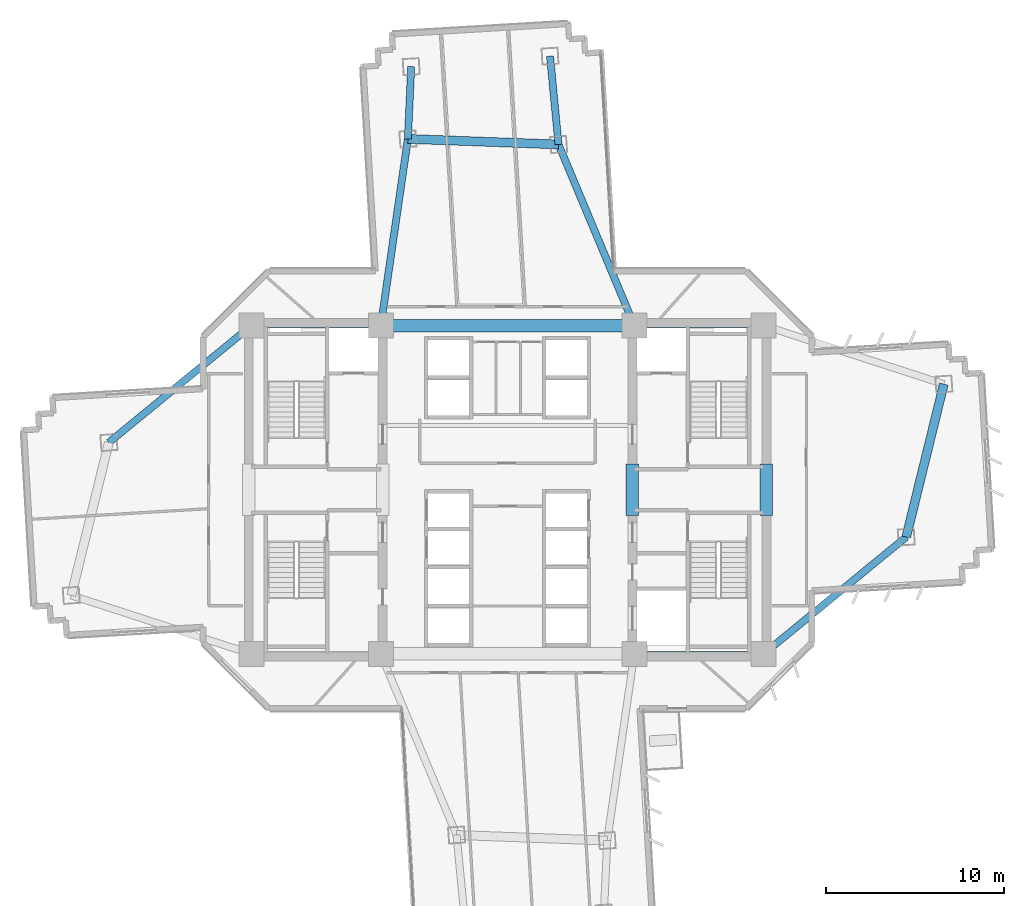
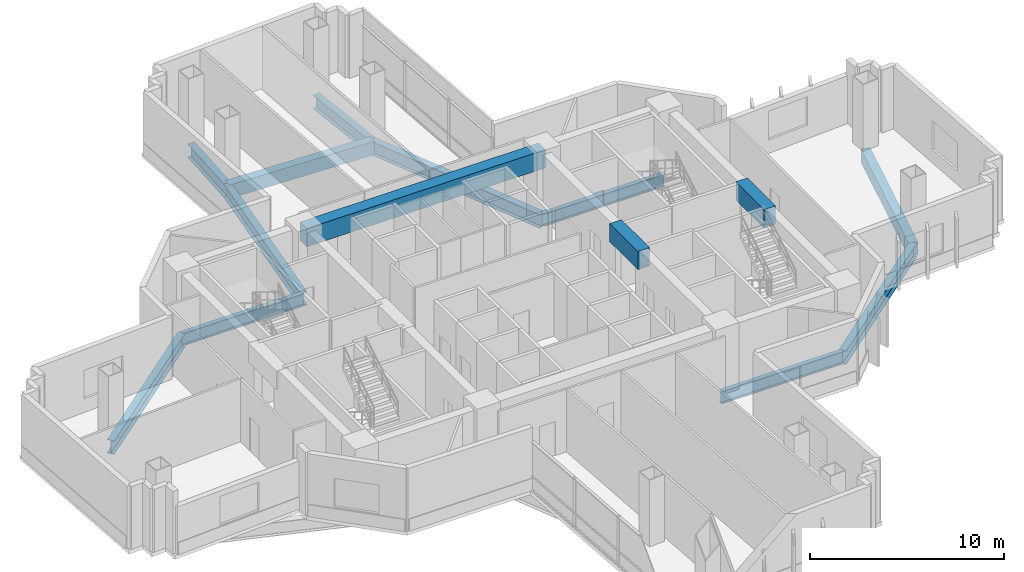
# One storey, part 3 of 15: 14 beams.
"""IFC4 building model written with IfcOpenShell, lengths in metres."""

from ifc_helpers import new_model, si_unit, direction, frame, origin, origin_2d, place, context, subcontext, project, spatial, rectangle, i_section, extrude, source, transform, mapped, material, material_profile, profile_set, type_object, element, save


model = new_model("IFC4")

# Units and contexts
model_context = context("Model", 3, precision=1e-05, world=origin(), true_north=direction((0.0, 1.0)))
body_context = subcontext(model_context, "Body", "Model", "MODEL_VIEW")
ifc_project = project(units=[si_unit("LENGTHUNIT", "METRE"), si_unit("AREAUNIT", "SQUARE_METRE"), si_unit("VOLUMEUNIT", "CUBIC_METRE"), si_unit("PLANEANGLEUNIT", "RADIAN"), si_unit("MASSUNIT", "GRAM", prefix="KILO")], contexts=[model_context])

# Site, building, storey
site_placement = place(None, origin())
site = spatial("IfcSite", under=ifc_project, at=site_placement, CompositionType="ELEMENT")
building_placement = place(site_placement, origin())
building = spatial("IfcBuilding", under=site, at=building_placement, Name="Zahravan Cultural Tower", CompositionType="ELEMENT")
storey_placement = place(building_placement, frame((0.0, 0.0, 75.300048828125)))
storey = spatial("IfcBuildingStorey", under=building, at=storey_placement, Name="L16", CompositionType="ELEMENT", Elevation=75.300048828125)

# Beams
ifc_material_1 = material(Name="Concrete C50/60", Category="concrete")
ifc_material_profile_1 = material_profile(ifc_material_1, rectangle(XDim=0.699951171875, YDim=1.14990234375, at=origin_2d()), Name="RC700X1150")
ifc_profile_set_1 = profile_set([ifc_material_profile_1], Name="Concrete C50/60")
beam_type_1 = type_object("IfcBeamType", Name="BM-LN-RC700X1150", PredefinedType="LINTEL", material=ifc_profile_set_1)
shared_shape_1 = source(origin(), body_context, "Body", "SweptSolid", [
    extrude(rectangle(XDim=0.699951171875, YDim=1.14990234375, at=origin_2d()), origin(), (0.0, 0.0, 1.0), 14.2001953125),
])
beam_1_placement = place(storey_placement, frame((28.89990234375, 36.199951171875, 3.375), z_axis=(1.0, 0.0, 0.0), x_axis=(0.0, 1.0, 0.0)))
element("IfcBeam", 1, at=beam_1_placement, inside=storey, type_object=beam_type_1, Name="L16 Beam LN-L16-N", PredefinedType="LINTEL", context=body_context, shape_type="MappedRepresentation", body=[
    mapped(shared_shape_1, transform((0.0, 0.0, 0.0), x_axis=(1.0, 0.0, 0.0), y_axis=(0.0, 1.0, 0.0), z_axis=(0.0, 0.0, 1.0), scale=1.0)),
])
shared_shape_2 = source(origin(), body_context, "Body", "SweptSolid", [
    extrude(rectangle(XDim=0.699951171875, YDim=1.14990234375, at=origin_2d()), origin(), (0.0, 0.0, 1.0), 2.89990234375),
])
for number, where, z_axis, x_axis, name in (
    (2, (43.0, 25.550048828125, 3.375), (0.0, 1.0, 0.0), (-1.0, 0.0, 0.0), "L16 Beam LN-L16-PEW"),
    (3, (50.5, 25.550048828125, 3.375), (0.0, 1.0, 0.0), (-1.0, 0.0, 0.0), "L16 Beam LN-L16-PEE"),
):
    element("IfcBeam", number, at=place(storey_placement, frame(where, z_axis=z_axis, x_axis=x_axis)), inside=storey, type_object=beam_type_1, Name=name, PredefinedType="LINTEL", context=body_context, shape_type="MappedRepresentation", body=[
        mapped(shared_shape_2, transform((0.0, 0.0, 0.0), x_axis=(1.0, 0.0, 0.0), y_axis=(0.0, 1.0, 0.0), z_axis=(0.0, 0.0, 1.0), scale=1.0)),
    ])
ifc_material_2 = material(Name="Steel ASTM A992 Grade 50", Category="steel")
ifc_material_profile_2 = material_profile(ifc_material_2, i_section(OverallWidth=0.26611328125, OverallDepth=0.780029296875, WebThickness=0.0166015625, FlangeThickness=0.030029296875, FilletRadius=0.01904296875, at=origin_2d()), Name="W30X148")
ifc_profile_set_2 = profile_set([ifc_material_profile_2], Name="Steel ASTM A992 Grade 50")
beam_type_2 = type_object("IfcBeamType", Name="BM-G-W30X148", PredefinedType="BEAM", material=ifc_profile_set_2)
shared_shape_3 = source(origin(), body_context, "Body", "SweptSolid", [
    extrude(i_section(OverallWidth=0.26611328125, OverallDepth=0.780029296875, WebThickness=0.0166015625, FlangeThickness=0.030029296875, FilletRadius=0.01904296875, at=origin_2d()), origin(), (0.0, 0.0, 1.0), 7.25),
])
for number, where, z_axis, x_axis, name in (
    (4, (21.64990234375, 36.199951171875, -0.64013671875), (1.0, 0.0, 0.0), (0.0, 1.0, 0.0), "L16 Beam BG-L16-02"),
    (5, (43.10009765625, 17.800048828125, -0.64013671875), (1.0, 0.0, 0.0), (0.0, 1.0, 0.0), "L16 Beam BG-L16-04"),
    (6, (43.10009765625, 36.199951171875, -0.64013671875), (1.0, 0.0, 0.0), (0.0, 1.0, 0.0), "L16 Beam BG-L16-05"),
):
    element("IfcBeam", number, at=place(storey_placement, frame(where, z_axis=z_axis, x_axis=x_axis)), inside=storey, type_object=beam_type_2, Name=name, PredefinedType="BEAM", context=body_context, shape_type="MappedRepresentation", body=[
        mapped(shared_shape_3, transform((0.0, 0.0, 0.0), x_axis=(1.0, 0.0, 0.0), y_axis=(0.0, 1.0, 0.0), z_axis=(0.0, 0.0, 1.0), scale=1.0)),
    ])
ifc_material_profile_3 = material_profile(ifc_material_1, rectangle(XDim=0.5, YDim=0.85009765625, at=origin_2d()), Name="RC500X850")
ifc_profile_set_3 = profile_set([ifc_material_profile_3], Name="Concrete C50/60")
beam_type_3 = type_object("IfcBeamType", Name="BM-SP-RC500X850", PredefinedType="SPANDREL", material=ifc_profile_set_3)
shared_shape_4 = source(origin(), body_context, "Body", "SweptSolid", [
    extrude(rectangle(XDim=0.5, YDim=0.85009765625, at=origin_2d()), origin(), (0.0, 0.0, 1.0), 8.4482421875),
])
beam_2_placement = place(storey_placement, frame((38.857421875, 46.346435546875, -0.675048828125), z_axis=(-0.999318826256, 0.036903705643, 0.0), x_axis=(-0.036903705643, -0.999318826256, 0.0)))
element("IfcBeam", 7, at=beam_2_placement, inside=storey, type_object=beam_type_3, Name="L16 Beam SP-L16-21", PredefinedType="SPANDREL", context=body_context, shape_type="MappedRepresentation", body=[
    mapped(shared_shape_4, transform((0.0, 0.0, 0.0), x_axis=(1.0, 0.0, 0.0), y_axis=(0.0, 1.0, 0.0), z_axis=(0.0, 0.0, 1.0), scale=1.0)),
])
shared_shape_5 = source(origin(), body_context, "Body", "SweptSolid", [
    extrude(rectangle(XDim=0.5, YDim=0.85009765625, at=origin_2d()), origin(), (0.0, 0.0, 1.0), 8.8232421875),
])
beam_3_placement = place(storey_placement, frame((58.339111328125, 24.351806640625, -0.675048828125), z_axis=(0.238848860516, 0.971056755206, 0.0), x_axis=(-0.971056755206, 0.238848860516, 0.0)))
element("IfcBeam", 8, at=beam_3_placement, inside=storey, type_object=beam_type_3, Name="L16 Beam SP-L16-20", PredefinedType="SPANDREL", context=body_context, shape_type="MappedRepresentation", body=[
    mapped(shared_shape_5, transform((0.0, 0.0, 0.0), x_axis=(1.0, 0.0, 0.0), y_axis=(0.0, 1.0, 0.0), z_axis=(0.0, 0.0, 1.0), scale=1.0)),
])
ifc_material_profile_4 = material_profile(ifc_material_2, i_section(OverallWidth=0.39990234375, OverallDepth=0.862060546875, WebThickness=0.019775390625, FlangeThickness=0.032470703125, FilletRadius=0.02001953125, at=origin_2d()), Name="W33X221")
ifc_profile_set_4 = profile_set([ifc_material_profile_4], Name="Steel ASTM A992 Grade 50")
beam_type_4 = type_object("IfcBeamType", Name="BM-G-W33X221", PredefinedType="BEAM", material=ifc_profile_set_4)
shared_shape_6 = source(origin(), body_context, "Body", "SweptSolid", [
    extrude(i_section(OverallWidth=0.39990234375, OverallDepth=0.862060546875, WebThickness=0.019775390625, FlangeThickness=0.032470703125, FilletRadius=0.02001953125, at=origin_2d()), origin(), (0.0, 0.0, 1.0), 10.997802734375),
])
beam_4_placement = place(storey_placement, frame((43.10009765625, 36.199951171875, -0.68115234375), z_axis=(-0.385775211449, 0.922592806297, 0.0), x_axis=(-0.922592806297, -0.385775211449, 0.0)))
element("IfcBeam", 9, at=beam_4_placement, inside=storey, type_object=beam_type_4, Name="L16 Beam BG-L16-12", PredefinedType="BEAM", context=body_context, shape_type="MappedRepresentation", body=[
    mapped(shared_shape_6, transform((0.0, 0.0, 0.0), x_axis=(1.0, 0.0, 0.0), y_axis=(0.0, 1.0, 0.0), z_axis=(0.0, 0.0, 1.0), scale=1.0)),
])
shared_shape_7 = source(origin(), body_context, "Body", "SweptSolid", [
    extrude(i_section(OverallWidth=0.39990234375, OverallDepth=0.862060546875, WebThickness=0.019775390625, FlangeThickness=0.032470703125, FilletRadius=0.02001953125, at=origin_2d()), origin(), (0.0, 0.0, 1.0), 10.5673828125),
])
beam_5_placement = place(storey_placement, frame((28.89990234375, 36.199951171875, -0.68115234375), z_axis=(0.143377913539, 0.989668011966, 0.0), x_axis=(-0.989668011966, 0.143377913539, 0.0)))
element("IfcBeam", 10, at=beam_5_placement, inside=storey, type_object=beam_type_4, Name="L16 Beam BG-L16-13", PredefinedType="BEAM", context=body_context, shape_type="MappedRepresentation", body=[
    mapped(shared_shape_7, transform((0.0, 0.0, 0.0), x_axis=(1.0, 0.0, 0.0), y_axis=(0.0, 1.0, 0.0), z_axis=(0.0, 0.0, 1.0), scale=1.0)),
])
shared_shape_8 = source(origin(), body_context, "Body", "SweptSolid", [
    extrude(i_section(OverallWidth=0.39990234375, OverallDepth=0.862060546875, WebThickness=0.019775390625, FlangeThickness=0.032470703125, FilletRadius=0.02001953125, at=origin_2d()), origin(), (0.0, 0.0, 1.0), 10.33203125),
])
for number, where, z_axis, x_axis, name in (
    (11, (50.35009765625, 17.800048828125, -0.68115234375), (0.773231409473, 0.634123952713, 0.0), (-0.634123952713, 0.773231409473, 0.0), "L16 Beam BG-L16-10"),
    (12, (21.64990234375, 36.199951171875, -0.68115234375), (-0.773231409473, -0.634123952713, 0.0), (0.634123952713, -0.773231409473, 0.0), "L16 Beam BG-L16-14"),
):
    element("IfcBeam", number, at=place(storey_placement, frame(where, z_axis=z_axis, x_axis=x_axis)), inside=storey, type_object=beam_type_4, Name=name, PredefinedType="BEAM", context=body_context, shape_type="MappedRepresentation", body=[
        mapped(shared_shape_8, transform((0.0, 0.0, 0.0), x_axis=(1.0, 0.0, 0.0), y_axis=(0.0, 1.0, 0.0), z_axis=(0.0, 0.0, 1.0), scale=1.0)),
    ])
shared_shape_9 = source(origin(), body_context, "Body", "SweptSolid", [
    extrude(i_section(OverallWidth=0.39990234375, OverallDepth=0.862060546875, WebThickness=0.019775390625, FlangeThickness=0.032470703125, FilletRadius=0.02001953125, at=origin_2d()), origin(), (0.0, 0.0, 1.0), 4.973876953125),
])
beam_6_placement = place(storey_placement, frame((38.857421875, 46.346435546875, -0.68115234375), z_axis=(-0.096154779131, 0.995366394073, 0.0), x_axis=(-0.995366394073, -0.096154779131, 0.0)))
element("IfcBeam", 13, at=beam_6_placement, inside=storey, type_object=beam_type_4, Name="L16 Beam BG-L16-15", PredefinedType="BEAM", context=body_context, shape_type="MappedRepresentation", body=[
    mapped(shared_shape_9, transform((0.0, 0.0, 0.0), x_axis=(1.0, 0.0, 0.0), y_axis=(0.0, 1.0, 0.0), z_axis=(0.0, 0.0, 1.0), scale=1.0)),
])
shared_shape_10 = source(origin(), body_context, "Body", "SweptSolid", [
    extrude(i_section(OverallWidth=0.39990234375, OverallDepth=0.862060546875, WebThickness=0.019775390625, FlangeThickness=0.032470703125, FilletRadius=0.02001953125, at=origin_2d()), origin(), (0.0, 0.0, 1.0), 4.0537109375),
])
beam_7_placement = place(storey_placement, frame((30.4150390625, 46.658203125, -0.68115234375), z_axis=(0.045770994677, 0.998951958828, 0.0), x_axis=(-0.998951958828, 0.045770994677, 0.0)))
element("IfcBeam", 14, at=beam_7_placement, inside=storey, type_object=beam_type_4, Name="L16 Beam BG-L16-16", PredefinedType="BEAM", context=body_context, shape_type="MappedRepresentation", body=[
    mapped(shared_shape_10, transform((0.0, 0.0, 0.0), x_axis=(1.0, 0.0, 0.0), y_axis=(0.0, 1.0, 0.0), z_axis=(0.0, 0.0, 1.0), scale=1.0)),
])

save(model, "model.ifc")
